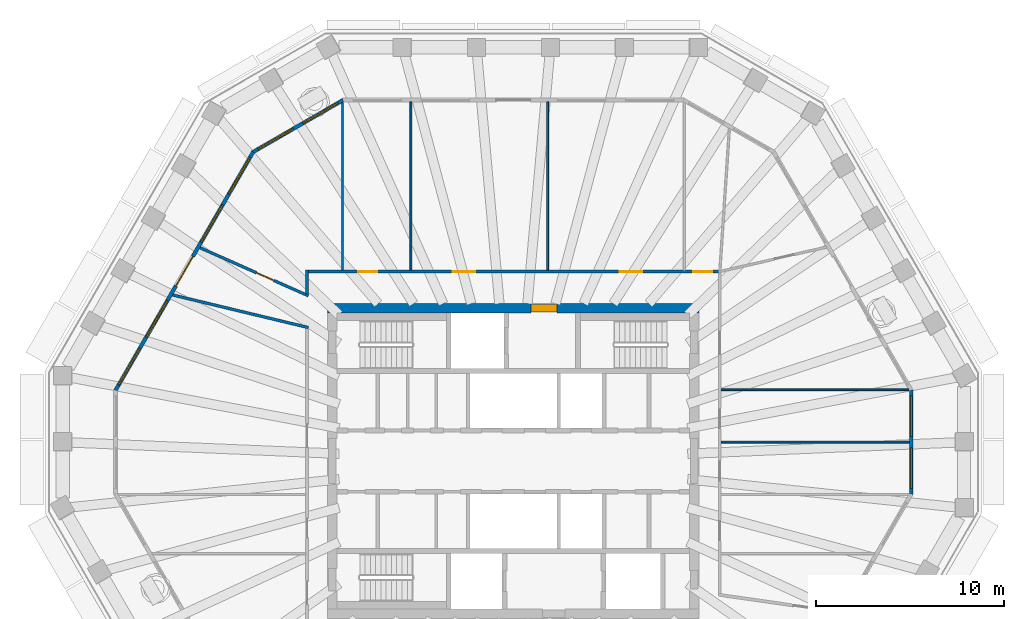
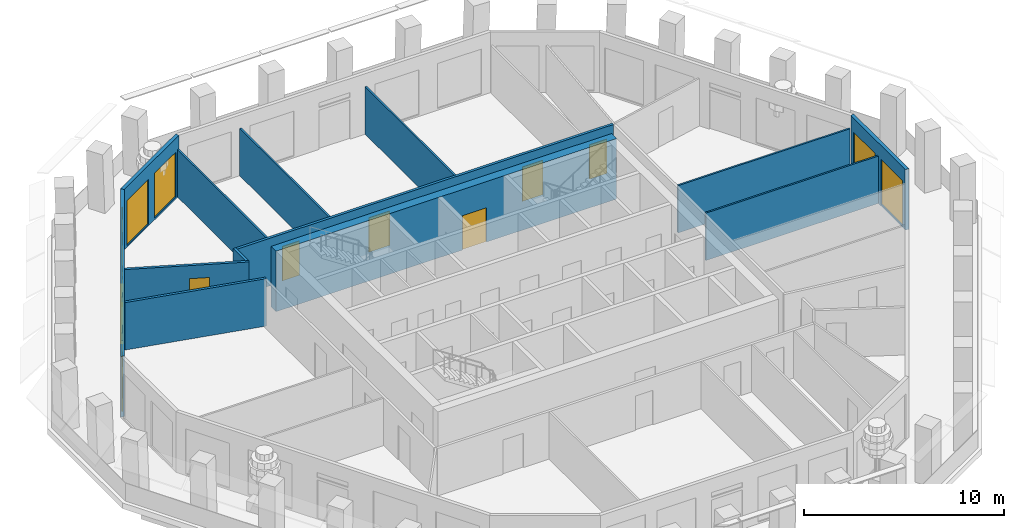
# One storey, part 6 of 11: 13 walls, 9 windows, 7 doors, 16 openings.
"""IFC4 building model written with IfcOpenShell, lengths in metres."""

from ifc_helpers import new_model, si_unit, direction, frame, frame_2d, origin, place, context, subcontext, project, spatial, polyline, rectangle, outline, extrude, material, layer, layer_set, type_object, element, fill, save


model = new_model("IFC4")

# Units and contexts
model_context = context("Model", 3, precision=1e-05, world=origin(), true_north=direction((0.0, 1.0)))
body_context = subcontext(model_context, "Body", "Model", "MODEL_VIEW")
ifc_project = project(units=[si_unit("LENGTHUNIT", "METRE"), si_unit("AREAUNIT", "SQUARE_METRE"), si_unit("VOLUMEUNIT", "CUBIC_METRE"), si_unit("PLANEANGLEUNIT", "RADIAN"), si_unit("MASSUNIT", "GRAM", prefix="KILO")], contexts=[model_context])

# Site, building, storey
site_placement = place(None, origin())
site = spatial("IfcSite", under=ifc_project, at=site_placement, CompositionType="ELEMENT")
building_placement = place(site_placement, origin())
building = spatial("IfcBuilding", under=site, at=building_placement, Name="Frailejon Research Tower", CompositionType="ELEMENT")
storey_placement = place(building_placement, frame((0.0, 0.0, 295.0)))
storey = spatial("IfcBuildingStorey", under=building, at=storey_placement, Name="L65", CompositionType="ELEMENT", Elevation=295.0)

# Wall, opening, door
ifc_material_1 = material(Name="Concrete C50/60", Category="concrete")
ifc_layer_1 = layer(ifc_material_1, 0.5)
ifc_layer_set_1 = layer_set([ifc_layer_1], Name="Core shear wall 500 C50/60")
wall_type_1 = type_object("IfcWallType", Name="Core shear wall 500 C50/60", PredefinedType="SHEAR", material=ifc_layer_set_1)
wall_1_placement = place(storey_placement, frame((-9.85009765625, 8.10009765625, 0.0), z_axis=(0.0, 0.0, 1.0), x_axis=(1.0, 0.0, 0.0)))
wall_1 = element("IfcWall", 1, at=wall_1_placement, inside=storey, type_object=wall_type_1, Name="Core shear wall", PredefinedType="SHEAR", context=body_context, shape_type="SweptSolid", body=[
    extrude(rectangle(XDim=19.7001953125, YDim=0.5, at=frame_2d((9.85009765625, 0.0))), origin(), (0.0, 0.0, 1.0), 3.699951171875),
])
opening_1_placement = place(wall_1_placement, frame((10.77490234375, 0.0, 0.0)))
opening_1 = element("IfcOpeningElement", 2, at=opening_1_placement, cuts=wall_1, Name="Opening D9", PredefinedType="OPENING", context=body_context, shape_type="SweptSolid", body=[
    extrude(rectangle(XDim=1.39990234375, YDim=2.10009765625, at=frame_2d((0.699951171875, 1.050048828125))), frame((0.0, 0.260009765625, 0.0), z_axis=(0.0, -1.0, 0.0), x_axis=(1.0, 0.0, 0.0)), (0.0, 0.0, 1.0), 0.52001953125),
])
ifc_material_2 = material(Name="Steel", Category="steel")
door_type_1 = type_object("IfcDoorType", Name="Goods lobby door", OperationType="DOUBLE_DOOR_SINGLE_SWING", PredefinedType="DOOR", material=ifc_material_2)
door_1_placement = place(opening_1_placement, origin())
door_1 = element("IfcDoor", 3, at=door_1_placement, inside=storey, type_object=door_type_1, Name="Goods lobby door", OperationType="DOUBLE_DOOR_SINGLE_SWING", OverallHeight=2.10009765625, OverallWidth=1.39990234375, PredefinedType="DOOR", context=body_context, shape_type="SweptSolid", body=[
    extrude(rectangle(XDim=1.39990234375, YDim=2.10009765625, at=frame_2d((0.699951171875, 1.050048828125))), frame((0.0, 0.199951171875, 0.0), z_axis=(0.0, -1.0, 0.0), x_axis=(1.0, 0.0, 0.0)), (0.0, 0.0, 1.0), 0.39990234375),
])
fill(opening_1, door_1)

# Wall, openings, doors
ifc_material_3 = material(Name="Gypsum board and masonry partition", Category="masonry")
ifc_layer_2 = layer(ifc_material_3, 0.14990234375)
ifc_layer_set_2 = layer_set([ifc_layer_2], Name="Corridor wall EI 60, gypsum on steel studs 150")
wall_type_2 = type_object("IfcWallType", Name="Corridor wall EI 60, gypsum on steel studs 150", PredefinedType="PARTITIONING", material=ifc_layer_set_2)
wall_2_placement = place(storey_placement, frame((-10.875, 10.050048828125, 0.0), z_axis=(0.0, 0.0, 1.0), x_axis=(1.0, 0.0, 0.0)))
wall_2 = element("IfcWall", 4, at=wall_2_placement, inside=storey, type_object=wall_type_2, Name="T:IW:L65:003", PredefinedType="PARTITIONING", context=body_context, shape_type="SweptSolid", body=[
    extrude(rectangle(XDim=21.77490234375, YDim=0.14990234375, at=frame_2d((10.887451171875, 0.0))), origin(), (0.0, 0.0, 1.0), 2.89990234375),
])
opening_2_placement = place(wall_2_placement, frame((20.410888671875, 0.0, 0.0)))
opening_2 = element("IfcOpeningElement", 5, at=opening_2_placement, cuts=wall_2, Name="Opening D2248", PredefinedType="OPENING", context=body_context, shape_type="SweptSolid", body=[
    extrude(rectangle(XDim=1.0, YDim=2.10009765625, at=frame_2d((0.5, 1.050048828125))), frame((0.0, 0.0849609375, 0.0), z_axis=(0.0, -1.0, 0.0), x_axis=(1.0, 0.0, 0.0)), (0.0, 0.0, 1.0), 0.169921875),
])
opening_3_placement = place(wall_2_placement, frame((16.51806640625, 0.0, 0.0)))
opening_3 = element("IfcOpeningElement", 6, at=opening_3_placement, cuts=wall_2, Name="Opening D2249", PredefinedType="OPENING", context=body_context, shape_type="SweptSolid", body=[
    extrude(rectangle(XDim=1.199951171875, YDim=2.10009765625, at=frame_2d((0.60009765625, 1.050048828125))), frame((0.0, 0.0849609375, 0.0), z_axis=(0.0, -1.0, 0.0), x_axis=(1.0, 0.0, 0.0)), (0.0, 0.0, 1.0), 0.169921875),
])
opening_4_placement = place(wall_2_placement, frame((7.65869140625, 0.0, 0.0)))
opening_4 = element("IfcOpeningElement", 7, at=opening_4_placement, cuts=wall_2, Name="Opening D2250", PredefinedType="OPENING", context=body_context, shape_type="SweptSolid", body=[
    extrude(rectangle(XDim=1.199951171875, YDim=2.10009765625, at=frame_2d((0.60009765625, 1.050048828125))), frame((0.0, 0.0849609375, 0.0), z_axis=(0.0, -1.0, 0.0), x_axis=(1.0, 0.0, 0.0)), (0.0, 0.0, 1.0), 0.169921875),
])
opening_5_placement = place(wall_2_placement, frame((2.639892578125, 0.0, 0.0)))
opening_5 = element("IfcOpeningElement", 8, at=opening_5_placement, cuts=wall_2, Name="Opening D2251", PredefinedType="OPENING", context=body_context, shape_type="SweptSolid", body=[
    extrude(rectangle(XDim=1.0, YDim=2.10009765625, at=frame_2d((0.5, 1.050048828125))), frame((0.0, 0.0849609375, 0.0), z_axis=(0.0, -1.0, 0.0), x_axis=(1.0, 0.0, 0.0)), (0.0, 0.0, 1.0), 0.169921875),
])
ifc_material_4 = material(Name="Timber door leaf", Category="wood")
door_type_2 = type_object("IfcDoorType", Name="Door single leaf, timber, steel frame 1000", OperationType="NOTDEFINED", PredefinedType="DOOR", material=ifc_material_4)
door_2_placement = place(opening_2_placement, origin())
door_2 = element("IfcDoor", 9, at=door_2_placement, inside=storey, type_object=door_type_2, Name="D2248", OperationType="SINGLE_SWING_RIGHT", OverallHeight=2.10009765625, OverallWidth=1.0, PredefinedType="DOOR", context=body_context, shape_type="SweptSolid", body=[
    extrude(rectangle(XDim=1.0, YDim=2.10009765625, at=frame_2d((0.5, 1.050048828125))), frame((0.0, 0.02490234375, 0.0), z_axis=(0.0, -1.0, 0.0), x_axis=(1.0, 0.0, 0.0)), (0.0, 0.0, 1.0), 0.050048828125),
])
fill(opening_2, door_2)
door_3_placement = place(opening_5_placement, origin())
door_3 = element("IfcDoor", 10, at=door_3_placement, inside=storey, type_object=door_type_2, Name="D2251", OperationType="SINGLE_SWING_RIGHT", OverallHeight=2.10009765625, OverallWidth=1.0, PredefinedType="DOOR", context=body_context, shape_type="SweptSolid", body=[
    extrude(rectangle(XDim=1.0, YDim=2.10009765625, at=frame_2d((0.5, 1.050048828125))), frame((0.0, 0.02490234375, 0.0), z_axis=(0.0, -1.0, 0.0), x_axis=(1.0, 0.0, 0.0)), (0.0, 0.0, 1.0), 0.050048828125),
])
fill(opening_5, door_3)
ifc_material_5 = material(Name="Timber door leaf", Category="wood")
door_type_3 = type_object("IfcDoorType", Name="Door single leaf, timber, steel frame 1200", OperationType="NOTDEFINED", PredefinedType="DOOR", material=ifc_material_5)
door_4_placement = place(opening_3_placement, origin())
door_4 = element("IfcDoor", 11, at=door_4_placement, inside=storey, type_object=door_type_3, Name="D2249", OperationType="DOUBLE_DOOR_SINGLE_SWING", OverallHeight=2.10009765625, OverallWidth=1.199951171875, PredefinedType="DOOR", context=body_context, shape_type="SweptSolid", body=[
    extrude(rectangle(XDim=1.199951171875, YDim=2.10009765625, at=frame_2d((0.60009765625, 1.050048828125))), frame((0.0, 0.02490234375, 0.0), z_axis=(0.0, -1.0, 0.0), x_axis=(1.0, 0.0, 0.0)), (0.0, 0.0, 1.0), 0.050048828125),
])
fill(opening_3, door_4)
door_5_placement = place(opening_4_placement, origin())
door_5 = element("IfcDoor", 12, at=door_5_placement, inside=storey, type_object=door_type_3, Name="D2250", OperationType="DOUBLE_DOOR_SINGLE_SWING", OverallHeight=2.10009765625, OverallWidth=1.199951171875, PredefinedType="DOOR", context=body_context, shape_type="SweptSolid", body=[
    extrude(rectangle(XDim=1.199951171875, YDim=2.10009765625, at=frame_2d((0.60009765625, 1.050048828125))), frame((0.0, 0.02490234375, 0.0), z_axis=(0.0, -1.0, 0.0), x_axis=(1.0, 0.0, 0.0)), (0.0, 0.0, 1.0), 0.050048828125),
])
fill(opening_4, door_5)

# Wall
wall_3_placement = place(storey_placement, frame((-10.949951171875, 8.875, 0.0), z_axis=(0.0, 0.0, 1.0), x_axis=(0.0, 1.0, 0.0)))
element("IfcWall", 13, at=wall_3_placement, inside=storey, type_object=wall_type_2, Name="T:IW:L65:005", PredefinedType="PARTITIONING", context=body_context, shape_type="SweptSolid", body=[
    extrude(rectangle(XDim=1.25, YDim=0.14990234375, at=frame_2d((0.625, 0.0))), origin(), (0.0, 0.0, 1.0), 2.89990234375),
])

# Wall, opening, door
wall_4_placement = place(storey_placement, frame((-16.62548828125, 11.315185546875, 0.0), z_axis=(0.0, 0.0, 1.0), x_axis=(0.914242073132, -0.405168399207, 0.0)))
wall_4 = element("IfcWall", 14, at=wall_4_placement, inside=storey, type_object=wall_type_2, Name="T:IW:L65:007", PredefinedType="PARTITIONING", context=body_context, shape_type="SweptSolid", body=[
    extrude(rectangle(XDim=6.282958984375, YDim=0.14990234375, at=frame_2d((3.1416015625, 0.0))), origin(), (0.0, 0.0, 1.0), 2.89990234375),
])
opening_6_placement = place(wall_4_placement, frame((3.280029296875, 0.0, 0.0)))
opening_6 = element("IfcOpeningElement", 15, at=opening_6_placement, cuts=wall_4, Name="Opening D2252", PredefinedType="OPENING", context=body_context, shape_type="SweptSolid", body=[
    extrude(rectangle(XDim=1.0, YDim=2.10009765625, at=frame_2d((0.5, 1.050048828125))), frame((0.0, 0.0849609375, 0.0), z_axis=(0.0, -1.0, 0.0), x_axis=(1.0, 0.0, 0.0)), (0.0, 0.0, 1.0), 0.169921875),
])
door_6_placement = place(opening_6_placement, origin())
door_6 = element("IfcDoor", 16, at=door_6_placement, inside=storey, type_object=door_type_2, Name="D2252", OperationType="SINGLE_SWING_LEFT", OverallHeight=2.10009765625, OverallWidth=1.0, PredefinedType="DOOR", context=body_context, shape_type="SweptSolid", body=[
    extrude(rectangle(XDim=1.0, YDim=2.10009765625, at=frame_2d((0.5, 1.050048828125))), frame((0.0, 0.02490234375, 0.0), z_axis=(0.0, -1.0, 0.0), x_axis=(1.0, 0.0, 0.0)), (0.0, 0.0, 1.0), 0.050048828125),
])
fill(opening_6, door_6)

# Walls
wall_5_placement = place(storey_placement, frame((-18.071533203125, 8.810302734375, 0.0), z_axis=(0.0, 0.0, 1.0), x_axis=(0.972352247426, -0.23351896481, 0.0)))
element("IfcWall", 17, at=wall_5_placement, inside=storey, type_object=wall_type_2, Name="T:IW:L65:008", PredefinedType="PARTITIONING", context=body_context, shape_type="SweptSolid", body=[
    extrude(rectangle(XDim=7.39892578125, YDim=0.14990234375, at=frame_2d((3.699462890625, 0.0))), origin(), (0.0, 0.0, 1.0), 2.89990234375),
])
ifc_material_6 = material(Name="Gypsum board and masonry partition", Category="masonry")
ifc_layer_3 = layer(ifc_material_6, 0.10009765625)
ifc_layer_set_3 = layer_set([ifc_layer_3], Name="Partition, gypsum on steel studs 100")
wall_type_3 = type_object("IfcWallType", Name="Partition, gypsum on steel studs 100", PredefinedType="PARTITIONING", material=ifc_layer_set_3)
wall_6_placement = place(storey_placement, frame((11.02490234375, 3.7841796875, 0.0), z_axis=(0.0, 0.0, 1.0), x_axis=(1.0, 0.0, 0.0)))
element("IfcWall", 18, at=wall_6_placement, inside=storey, type_object=wall_type_3, Name="T:IW:L65:011", PredefinedType="PARTITIONING", context=body_context, shape_type="SweptSolid", body=[
    extrude(rectangle(XDim=9.948486328125, YDim=0.10009765625, at=frame_2d((4.97412109375, 0.0))), origin(), (0.0, 0.0, 1.0), 2.89990234375),
])
wall_7_placement = place(storey_placement, frame((11.02490234375, 1.005615234375, 0.0), z_axis=(0.0, 0.0, 1.0), x_axis=(1.0, 0.0, 0.0)))
element("IfcWall", 19, at=wall_7_placement, inside=storey, type_object=wall_type_3, Name="T:IW:L65:012", PredefinedType="PARTITIONING", context=body_context, shape_type="SweptSolid", body=[
    extrude(rectangle(XDim=9.9794921875, YDim=0.10009765625, at=frame_2d((4.98974609375, 0.0))), origin(), (0.0, 0.0, 1.0), 2.89990234375),
])
for number, where, z_axis, x_axis, name in (
    (20, (1.8134765625, 10.125, 0.0), (0.0, 0.0, 1.0), (0.0, 1.0, 0.0), "T:IW:L65:016"),
    (21, (-5.440185546875, 10.125, 0.0), (0.0, 0.0, 1.0), (0.0, 1.0, 0.0), "T:IW:L65:017"),
):
    element("IfcWall", number, at=place(storey_placement, frame(where, z_axis=z_axis, x_axis=x_axis)), inside=storey, type_object=wall_type_3, Name=name, PredefinedType="PARTITIONING", context=body_context, shape_type="SweptSolid", body=[
        extrude(rectangle(XDim=8.925048828125, YDim=0.10009765625, at=frame_2d((4.46240234375, 0.0))), origin(), (0.0, 0.0, 1.0), 2.89990234375),
    ])
wall_8_placement = place(storey_placement, frame((-9.06689453125, 10.125, 0.0), z_axis=(0.0, 0.0, 1.0), x_axis=(0.0, 1.0, 0.0)))
element("IfcWall", 22, at=wall_8_placement, inside=storey, type_object=wall_type_3, Name="T:IW:L65:018", PredefinedType="PARTITIONING", context=body_context, shape_type="SweptSolid", body=[
    extrude(rectangle(XDim=8.89404296875, YDim=0.10009765625, at=frame_2d((4.447021484375, 0.0))), origin(), (0.0, 0.0, 1.0), 2.89990234375),
])

# Wall, openings, windows
ifc_material_7 = material(Name="Concrete C40/50 precast window wall panel", Category="concrete")
ifc_layer_4 = layer(ifc_material_7, 0.199951171875)
ifc_layer_set_4 = layer_set([ifc_layer_4], Name="Window wall 200")
wall_type_4 = type_object("IfcWallType", Name="Window wall 200", PredefinedType="SOLIDWALL", material=ifc_layer_set_4)
wall_9_placement = place(storey_placement, frame((21.1044921875, -1.74609375, 0.0), z_axis=(0.0, 0.0, 1.0), x_axis=(0.0, 1.0, 0.0)))
wall_9 = element("IfcWall", 23, at=wall_9_placement, inside=storey, type_object=wall_type_4, Name="Exterior wall L65", PredefinedType="SOLIDWALL", context=body_context, shape_type="SweptSolid", body=[
    extrude(outline(polyline([(-0.02685546875, -0.10009765625), (1.08447265625, -0.10009765625), (2.196044921875, -0.10009765625), (3.307373046875, -0.10009765625), (4.4189453125, -0.10009765625), (5.5302734375, -0.10009765625), (5.4765625, 0.10009765625), (4.38671875, 0.10009765625), (3.296630859375, 0.10009765625), (2.206787109375, 0.10009765625), (1.11669921875, 0.10009765625), (0.02685546875, 0.10009765625), (-0.02685546875, -0.10009765625)])), origin(), (0.0, 0.0, 1.0), 3.699951171875),
])
opening_7_placement = place(wall_9_placement, frame((0.30078125, 0.0, 0.10009765625)))
opening_7 = element("IfcOpeningElement", 24, at=opening_7_placement, cuts=wall_9, Name="Opening W22", PredefinedType="OPENING", context=body_context, shape_type="SweptSolid", body=[
    extrude(rectangle(XDim=2.14990234375, YDim=2.75, at=frame_2d((1.074951171875, 1.375))), frame((0.0, 0.10986328125, 0.0), z_axis=(0.0, -1.0, 0.0), x_axis=(1.0, 0.0, 0.0)), (0.0, 0.0, 1.0), 0.219970703125),
])
opening_8_placement = place(wall_9_placement, frame((3.052490234375, 0.0, 0.10009765625)))
opening_8 = element("IfcOpeningElement", 25, at=opening_8_placement, cuts=wall_9, Name="Opening W22", PredefinedType="OPENING", context=body_context, shape_type="SweptSolid", body=[
    extrude(rectangle(XDim=2.14990234375, YDim=2.75, at=frame_2d((1.074951171875, 1.375))), frame((0.0, 0.10986328125, 0.0), z_axis=(0.0, -1.0, 0.0), x_axis=(1.0, 0.0, 0.0)), (0.0, 0.0, 1.0), 0.219970703125),
])
ifc_material_8 = material(Name="Aluminium framed double glazing", Category="aluminium")
window_type_1 = type_object("IfcWindowType", Name="Window 2150x2750", PartitioningType="SINGLE_PANEL", PredefinedType="WINDOW", material=ifc_material_8)
window_1_placement = place(opening_7_placement, origin())
window_1 = element("IfcWindow", 26, at=window_1_placement, inside=storey, type_object=window_type_1, Name="Window L65", OverallHeight=2.75, OverallWidth=2.14990234375, PartitioningType="SINGLE_PANEL", PredefinedType="WINDOW", context=body_context, shape_type="SweptSolid", body=[
    extrude(rectangle(XDim=2.14990234375, YDim=2.75, at=frame_2d((1.074951171875, 1.375))), frame((0.0, 0.030029296875, 0.0), z_axis=(0.0, -1.0, 0.0), x_axis=(1.0, 0.0, 0.0)), (0.0, 0.0, 1.0), 0.06005859375),
])
fill(opening_7, window_1)
window_2_placement = place(opening_8_placement, origin())
window_2 = element("IfcWindow", 27, at=window_2_placement, inside=storey, type_object=window_type_1, Name="Window L65", OverallHeight=2.75, OverallWidth=2.14990234375, PartitioningType="SINGLE_PANEL", PredefinedType="WINDOW", context=body_context, shape_type="SweptSolid", body=[
    extrude(rectangle(XDim=2.14990234375, YDim=2.75, at=frame_2d((1.074951171875, 1.375))), frame((0.0, 0.030029296875, 0.0), z_axis=(0.0, -1.0, 0.0), x_axis=(1.0, 0.0, 0.0)), (0.0, 0.0, 1.0), 0.06005859375),
])
fill(opening_8, window_2)

wall_10_placement = place(storey_placement, frame((-9.0400390625, 19.14990234375, 0.0), z_axis=(0.0, 0.0, 1.0), x_axis=(-0.866026017613, -0.499998936816, 0.0)))
wall_10 = element("IfcWall", 28, at=wall_10_placement, inside=storey, type_object=wall_type_4, Name="Exterior wall L65", PredefinedType="SOLIDWALL", context=body_context, shape_type="SweptSolid", body=[
    extrude(outline(polyline([(-0.02685546875, -0.10009765625), (1.08447265625, -0.10009765625), (2.196044921875, -0.10009765625), (3.307373046875, -0.10009765625), (4.4189453125, -0.10009765625), (5.5302734375, -0.10009765625), (5.4765625, 0.10009765625), (4.38671875, 0.10009765625), (3.296630859375, 0.10009765625), (2.206787109375, 0.10009765625), (1.11669921875, 0.10009765625), (0.02685546875, 0.10009765625), (-0.02685546875, -0.10009765625)])), origin(), (0.0, 0.0, 1.0), 3.699951171875),
])
opening_9_placement = place(wall_10_placement, frame((0.30078125, 0.0, 0.10009765625)))
opening_9 = element("IfcOpeningElement", 29, at=opening_9_placement, cuts=wall_10, Name="Opening W22", PredefinedType="OPENING", context=body_context, shape_type="SweptSolid", body=[
    extrude(rectangle(XDim=2.14990234375, YDim=2.75, at=frame_2d((1.074951171875, 1.375))), frame((0.0, 0.10986328125, 0.0), z_axis=(0.0, -1.0, 0.0), x_axis=(1.0, 0.0, 0.0)), (0.0, 0.0, 1.0), 0.219970703125),
])
opening_10_placement = place(wall_10_placement, frame((3.052490234375, 0.0, 0.10009765625)))
opening_10 = element("IfcOpeningElement", 30, at=opening_10_placement, cuts=wall_10, Name="Opening W22", PredefinedType="OPENING", context=body_context, shape_type="SweptSolid", body=[
    extrude(rectangle(XDim=2.14990234375, YDim=2.75, at=frame_2d((1.074951171875, 1.375))), frame((0.0, 0.10986328125, 0.0), z_axis=(0.0, -1.0, 0.0), x_axis=(1.0, 0.0, 0.0)), (0.0, 0.0, 1.0), 0.219970703125),
])
window_3_placement = place(opening_9_placement, origin())
window_3 = element("IfcWindow", 31, at=window_3_placement, inside=storey, type_object=window_type_1, Name="Window L65", OverallHeight=2.75, OverallWidth=2.14990234375, PartitioningType="SINGLE_PANEL", PredefinedType="WINDOW", context=body_context, shape_type="SweptSolid", body=[
    extrude(rectangle(XDim=2.14990234375, YDim=2.75, at=frame_2d((1.074951171875, 1.375))), frame((0.0, 0.030029296875, 0.0), z_axis=(0.0, -1.0, 0.0), x_axis=(1.0, 0.0, 0.0)), (0.0, 0.0, 1.0), 0.06005859375),
])
fill(opening_9, window_3)
window_4_placement = place(opening_10_placement, origin())
window_4 = element("IfcWindow", 32, at=window_4_placement, inside=storey, type_object=window_type_1, Name="Window L65", OverallHeight=2.75, OverallWidth=2.14990234375, PartitioningType="SINGLE_PANEL", PredefinedType="WINDOW", context=body_context, shape_type="SweptSolid", body=[
    extrude(rectangle(XDim=2.14990234375, YDim=2.75, at=frame_2d((1.074951171875, 1.375))), frame((0.0, 0.030029296875, 0.0), z_axis=(0.0, -1.0, 0.0), x_axis=(1.0, 0.0, 0.0)), (0.0, 0.0, 1.0), 0.06005859375),
])
fill(opening_10, window_4)

# Wall, openings, door, windows
wall_11_placement = place(storey_placement, frame((-13.80615234375, 16.398193359375, 0.0), z_axis=(0.0, 0.0, 1.0), x_axis=(-0.500006712695, -0.866021528173, 0.0)))
wall_11 = element("IfcWall", 33, at=wall_11_placement, inside=storey, type_object=wall_type_4, Name="Exterior wall L65", PredefinedType="SOLIDWALL", context=body_context, shape_type="SweptSolid", body=[
    extrude(outline(polyline([(-0.02685546875, -0.10009765625), (1.01953125, -0.10009765625), (2.06591796875, -0.10009765625), (3.112548828125, -0.10009765625), (4.158935546875, -0.10009765625), (5.205322265625, -0.10009765625), (6.251708984375, -0.10009765625), (7.29833984375, -0.10009765625), (8.3447265625, -0.10009765625), (9.39111328125, -0.10009765625), (10.4375, -0.10009765625), (11.48388671875, -0.10009765625), (12.530517578125, -0.10009765625), (13.576904296875, -0.10009765625), (14.623291015625, -0.10009765625), (14.569580078125, 0.10009765625), (13.53076171875, 0.10009765625), (12.491943359375, 0.10009765625), (11.453369140625, 0.10009765625), (10.41455078125, 0.10009765625), (9.375732421875, 0.10009765625), (8.3369140625, 0.10009765625), (7.29833984375, 0.10009765625), (6.259521484375, 0.10009765625), (5.220703125, 0.10009765625), (4.181884765625, 0.10009765625), (3.14306640625, 0.10009765625), (2.1044921875, 0.10009765625), (1.065673828125, 0.10009765625), (0.02685546875, 0.10009765625), (-0.02685546875, -0.10009765625)])), origin(), (0.0, 0.0, 1.0), 3.699951171875),
])
opening_11_placement = place(wall_11_placement, frame((0.334716796875, 0.0, 0.10009765625)))
opening_11 = element("IfcOpeningElement", 34, at=opening_11_placement, cuts=wall_11, Name="Opening W23", PredefinedType="OPENING", context=body_context, shape_type="SweptSolid", body=[
    extrude(rectangle(XDim=2.25, YDim=2.75, at=frame_2d((1.125, 1.375))), frame((0.0, 0.10986328125, 0.0), z_axis=(0.0, -1.0, 0.0), x_axis=(1.0, 0.0, 0.0)), (0.0, 0.0, 1.0), 0.219970703125),
])
opening_12_placement = place(wall_11_placement, frame((3.25390625, 0.0, 0.10009765625)))
opening_12 = element("IfcOpeningElement", 35, at=opening_12_placement, cuts=wall_11, Name="Opening W23", PredefinedType="OPENING", context=body_context, shape_type="SweptSolid", body=[
    extrude(rectangle(XDim=2.25, YDim=2.75, at=frame_2d((1.125, 1.375))), frame((0.0, 0.10986328125, 0.0), z_axis=(0.0, -1.0, 0.0), x_axis=(1.0, 0.0, 0.0)), (0.0, 0.0, 1.0), 0.219970703125),
])
opening_13_placement = place(wall_11_placement, frame((6.398193359375, 0.0, 0.0)))
opening_13 = element("IfcOpeningElement", 36, at=opening_13_placement, cuts=wall_11, Name="Opening LG65-3", PredefinedType="OPENING", context=body_context, shape_type="SweptSolid", body=[
    extrude(rectangle(XDim=1.800048828125, YDim=2.39990234375, at=frame_2d((0.89990234375, 1.199951171875))), frame((0.0, 0.10986328125, 0.0), z_axis=(0.0, -1.0, 0.0), x_axis=(1.0, 0.0, 0.0)), (0.0, 0.0, 1.0), 0.219970703125),
])
opening_14_placement = place(wall_11_placement, frame((6.398193359375, 0.0, 2.550048828125)))
opening_14 = element("IfcOpeningElement", 37, at=opening_14_placement, cuts=wall_11, Name="Opening W24", PredefinedType="OPENING", context=body_context, shape_type="SweptSolid", body=[
    extrude(rectangle(XDim=1.800048828125, YDim=0.300048828125, at=frame_2d((0.89990234375, 0.14990234375))), frame((0.0, 0.10986328125, 0.0), z_axis=(0.0, -1.0, 0.0), x_axis=(1.0, 0.0, 0.0)), (0.0, 0.0, 1.0), 0.219970703125),
])
opening_15_placement = place(wall_11_placement, frame((9.092529296875, 0.0, 0.10009765625)))
opening_15 = element("IfcOpeningElement", 38, at=opening_15_placement, cuts=wall_11, Name="Opening W23", PredefinedType="OPENING", context=body_context, shape_type="SweptSolid", body=[
    extrude(rectangle(XDim=2.25, YDim=2.75, at=frame_2d((1.125, 1.375))), frame((0.0, 0.10986328125, 0.0), z_axis=(0.0, -1.0, 0.0), x_axis=(1.0, 0.0, 0.0)), (0.0, 0.0, 1.0), 0.219970703125),
])
opening_16_placement = place(wall_11_placement, frame((12.011962890625, 0.0, 0.10009765625)))
opening_16 = element("IfcOpeningElement", 39, at=opening_16_placement, cuts=wall_11, Name="Opening W23", PredefinedType="OPENING", context=body_context, shape_type="SweptSolid", body=[
    extrude(rectangle(XDim=2.25, YDim=2.75, at=frame_2d((1.125, 1.375))), frame((0.0, 0.10986328125, 0.0), z_axis=(0.0, -1.0, 0.0), x_axis=(1.0, 0.0, 0.0)), (0.0, 0.0, 1.0), 0.219970703125),
])
ifc_material_9 = material(Name="Aluminium framed glazed door leaf", Category="aluminium")
door_type_4 = type_object("IfcDoorType", Name="Loggia door 1800x2400", OperationType="DOUBLE_DOOR_SINGLE_SWING", PredefinedType="DOOR", material=ifc_material_9)
door_7_placement = place(opening_13_placement, origin())
door_7 = element("IfcDoor", 40, at=door_7_placement, inside=storey, type_object=door_type_4, Name="Door LG65-3", OperationType="DOUBLE_DOOR_SINGLE_SWING", OverallHeight=2.39990234375, OverallWidth=1.800048828125, PredefinedType="DOOR", context=body_context, shape_type="SweptSolid", body=[
    extrude(rectangle(XDim=1.800048828125, YDim=2.39990234375, at=frame_2d((0.89990234375, 1.199951171875))), frame((0.0, 0.02490234375, 0.0), z_axis=(0.0, -1.0, 0.0), x_axis=(1.0, 0.0, 0.0)), (0.0, 0.0, 1.0), 0.050048828125),
])
fill(opening_13, door_7)
ifc_material_10 = material(Name="Aluminium framed double glazing", Category="aluminium")
window_type_2 = type_object("IfcWindowType", Name="Window 1800x300", PartitioningType="SINGLE_PANEL", PredefinedType="WINDOW", material=ifc_material_10)
window_5_placement = place(opening_14_placement, origin())
window_5 = element("IfcWindow", 41, at=window_5_placement, inside=storey, type_object=window_type_2, Name="Window L65", OverallHeight=0.300048828125, OverallWidth=1.800048828125, PartitioningType="SINGLE_PANEL", PredefinedType="WINDOW", context=body_context, shape_type="SweptSolid", body=[
    extrude(rectangle(XDim=1.800048828125, YDim=0.300048828125, at=frame_2d((0.89990234375, 0.14990234375))), frame((0.0, 0.030029296875, 0.0), z_axis=(0.0, -1.0, 0.0), x_axis=(1.0, 0.0, 0.0)), (0.0, 0.0, 1.0), 0.06005859375),
])
fill(opening_14, window_5)
ifc_material_11 = material(Name="Aluminium framed double glazing", Category="aluminium")
window_type_3 = type_object("IfcWindowType", Name="Window 2250x2750", PartitioningType="SINGLE_PANEL", PredefinedType="WINDOW", material=ifc_material_11)
window_6_placement = place(opening_11_placement, origin())
window_6 = element("IfcWindow", 42, at=window_6_placement, inside=storey, type_object=window_type_3, Name="Window L65", OverallHeight=2.75, OverallWidth=2.25, PartitioningType="SINGLE_PANEL", PredefinedType="WINDOW", context=body_context, shape_type="SweptSolid", body=[
    extrude(rectangle(XDim=2.25, YDim=2.75, at=frame_2d((1.125, 1.375))), frame((0.0, 0.030029296875, 0.0), z_axis=(0.0, -1.0, 0.0), x_axis=(1.0, 0.0, 0.0)), (0.0, 0.0, 1.0), 0.06005859375),
])
fill(opening_11, window_6)
window_7_placement = place(opening_12_placement, origin())
window_7 = element("IfcWindow", 43, at=window_7_placement, inside=storey, type_object=window_type_3, Name="Window L65", OverallHeight=2.75, OverallWidth=2.25, PartitioningType="SINGLE_PANEL", PredefinedType="WINDOW", context=body_context, shape_type="SweptSolid", body=[
    extrude(rectangle(XDim=2.25, YDim=2.75, at=frame_2d((1.125, 1.375))), frame((0.0, 0.030029296875, 0.0), z_axis=(0.0, -1.0, 0.0), x_axis=(1.0, 0.0, 0.0)), (0.0, 0.0, 1.0), 0.06005859375),
])
fill(opening_12, window_7)
window_8_placement = place(opening_15_placement, origin())
window_8 = element("IfcWindow", 44, at=window_8_placement, inside=storey, type_object=window_type_3, Name="Window L65", OverallHeight=2.75, OverallWidth=2.25, PartitioningType="SINGLE_PANEL", PredefinedType="WINDOW", context=body_context, shape_type="SweptSolid", body=[
    extrude(rectangle(XDim=2.25, YDim=2.75, at=frame_2d((1.125, 1.375))), frame((0.0, 0.030029296875, 0.0), z_axis=(0.0, -1.0, 0.0), x_axis=(1.0, 0.0, 0.0)), (0.0, 0.0, 1.0), 0.06005859375),
])
fill(opening_15, window_8)
window_9_placement = place(opening_16_placement, origin())
window_9 = element("IfcWindow", 45, at=window_9_placement, inside=storey, type_object=window_type_3, Name="Window L65", OverallHeight=2.75, OverallWidth=2.25, PartitioningType="SINGLE_PANEL", PredefinedType="WINDOW", context=body_context, shape_type="SweptSolid", body=[
    extrude(rectangle(XDim=2.25, YDim=2.75, at=frame_2d((1.125, 1.375))), frame((0.0, 0.030029296875, 0.0), z_axis=(0.0, -1.0, 0.0), x_axis=(1.0, 0.0, 0.0)), (0.0, 0.0, 1.0), 0.06005859375),
])
fill(opening_16, window_9)

save(model, "model.ifc")
